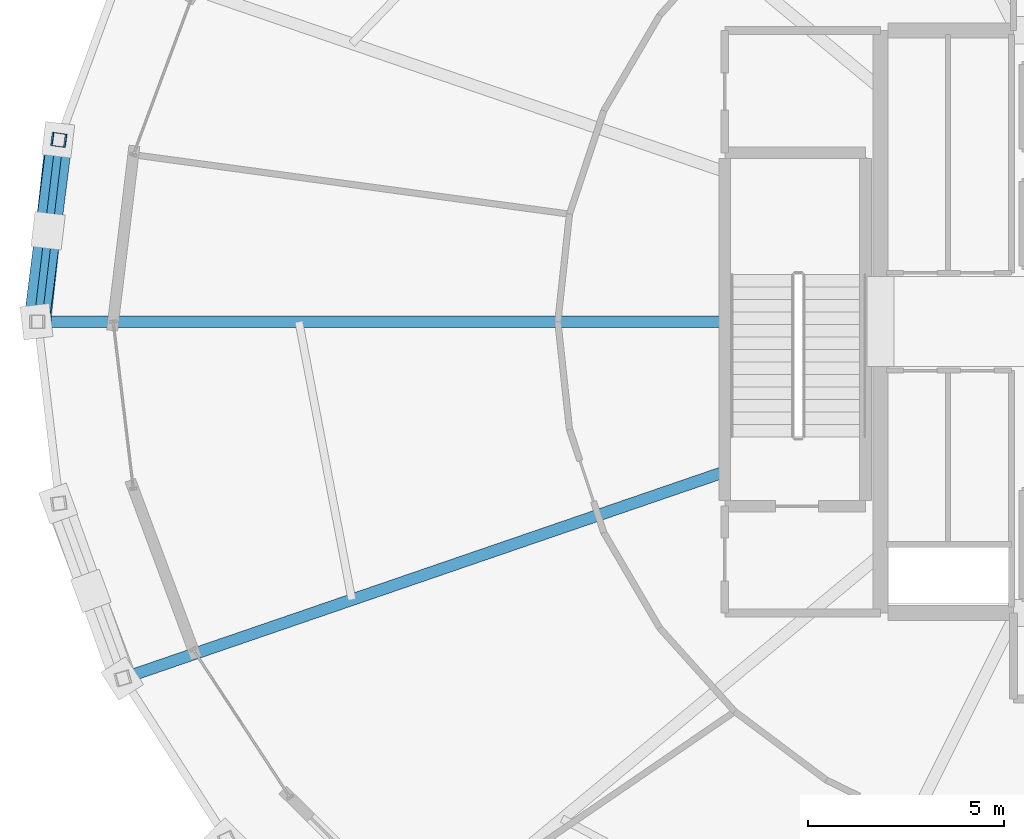
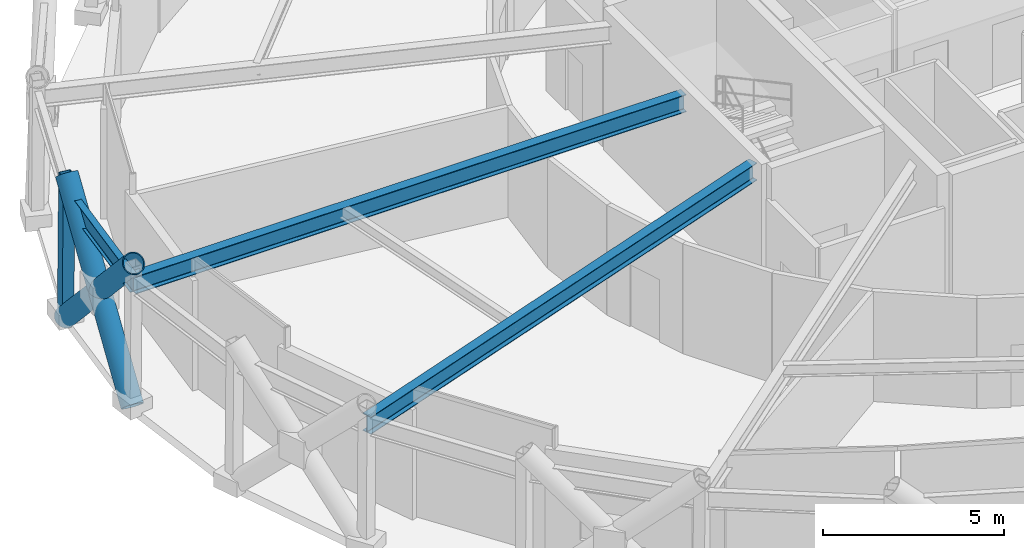
# One storey, part 8 of 39: 4 members, 3 beams.
"""IFC4 building model written with IfcOpenShell, lengths in metres."""

from ifc_helpers import new_model, si_unit, direction, frame, origin, origin_2d, place, context, subcontext, project, spatial, hollow_rectangle, hollow_circle, i_section, extrude, material, material_profile, profile_set, type_object, element, save


model = new_model("IFC4")

# Units and contexts
model_context = context("Model", 3, precision=1e-05, world=origin(), true_north=direction((0.0, 1.0)))
body_context = subcontext(model_context, "Body", "Model", "MODEL_VIEW")
ifc_project = project(units=[si_unit("LENGTHUNIT", "METRE"), si_unit("AREAUNIT", "SQUARE_METRE"), si_unit("VOLUMEUNIT", "CUBIC_METRE"), si_unit("PLANEANGLEUNIT", "RADIAN"), si_unit("MASSUNIT", "GRAM", prefix="KILO")], contexts=[model_context])

# Site, building, storey
site_placement = place(None, origin())
site = spatial("IfcSite", under=ifc_project, at=site_placement, CompositionType="ELEMENT")
building_placement = place(site_placement, origin())
building = spatial("IfcBuilding", under=site, at=building_placement, Name="Veldorina Hangang Commons", CompositionType="ELEMENT")
storey_placement = place(building_placement, frame((0.0, 0.0, 106.0)))
storey = spatial("IfcBuildingStorey", under=building, at=storey_placement, Name="L27", CompositionType="ELEMENT", Elevation=106.0)

# Beams
ifc_material_1 = material(Name="Steel SM460-TMC", Category="steel")
ifc_material_profile_1 = material_profile(ifc_material_1, i_section(OverallWidth=0.300048828125, OverallDepth=0.587890625, WebThickness=0.011962890625, FlangeThickness=0.02001953125, FilletRadius=0.01806640625, at=origin_2d()), Name="H-588x300x12x20")
ifc_profile_set_1 = profile_set([ifc_material_profile_1], Name="Steel SM460-TMC")
beam_type_1 = type_object("IfcBeamType", Name="BM-FG588", PredefinedType="BEAM", material=ifc_profile_set_1)
beam_1_placement = place(storey_placement, frame((20.820068359375, 24.0, 4.14599609375), z_axis=(-1.0, 0.0, 0.0), x_axis=(0.0, -1.0, 0.0)))
element("IfcBeam", 1, at=beam_1_placement, inside=storey, type_object=beam_type_1, Name="L27 radial floor girder 09", PredefinedType="BEAM", context=body_context, shape_type="SweptSolid", body=[
    extrude(i_section(OverallWidth=0.300048828125, OverallDepth=0.587890625, WebThickness=0.011962890625, FlangeThickness=0.02001953125, FilletRadius=0.01806640625, at=origin_2d()), origin(), (0.0, 0.0, 1.0), 17.570556640625),
])
beam_2_placement = place(storey_placement, frame((20.820068359375, 20.162353515625, 4.14599609375), z_axis=(-0.945834039523, -0.324650534699, 0.0), x_axis=(0.324650534699, -0.945834039523, 0.0)))
element("IfcBeam", 2, at=beam_2_placement, inside=storey, type_object=beam_type_1, Name="L27 radial floor girder 10", PredefinedType="BEAM", context=body_context, shape_type="SweptSolid", body=[
    extrude(i_section(OverallWidth=0.300048828125, OverallDepth=0.587890625, WebThickness=0.011962890625, FlangeThickness=0.02001953125, FilletRadius=0.01806640625, at=origin_2d()), origin(), (0.0, 0.0, 1.0), 16.262939453125),
])
ifc_material_2 = material(Name="Steel SM420-TMC", Category="steel")
ifc_material_profile_2 = material_profile(ifc_material_2, i_section(OverallWidth=0.199951171875, OverallDepth=0.60009765625, WebThickness=0.010986328125, FlangeThickness=0.01708984375, FilletRadius=0.01806640625, at=origin_2d()), Name="H-600x200x11x17")
ifc_profile_set_2 = profile_set([ifc_material_profile_2], Name="Steel SM420-TMC")
beam_type_2 = type_object("IfcBeamType", Name="BM-RB600", PredefinedType="BEAM", material=ifc_profile_set_2)
beam_3_placement = place(storey_placement, frame((3.802001953125, 28.648193359375, 4.139892578125), z_axis=(-0.118030441643, -0.993009977214, 0.0), x_axis=(0.993009977214, -0.118030441643, 0.0)))
element("IfcBeam", 3, at=beam_3_placement, inside=storey, type_object=beam_type_2, Name="L27 perimeter hoop ring beam 15", PredefinedType="BEAM", context=body_context, shape_type="SweptSolid", body=[
    extrude(i_section(OverallWidth=0.199951171875, OverallDepth=0.60009765625, WebThickness=0.010986328125, FlangeThickness=0.01708984375, FilletRadius=0.01806640625, at=origin_2d()), origin(), (0.0, 0.0, 1.0), 4.680908203125),
])

# Members
ifc_material_profile_3 = material_profile(ifc_material_1, hollow_circle(Radius=0.324951171875, WallThickness=0.031982421875, at=origin_2d()), Name="CHS-650x32")
ifc_profile_set_3 = profile_set([ifc_material_profile_3], Name="Steel SM460-TMC")
member_type_1 = type_object("IfcMemberType", Name="DG-CHS650", PredefinedType="BRACE", material=ifc_profile_set_3)
member_1_placement = place(storey_placement, frame((3.770263671875, 28.652587890625, 0.0), z_axis=(-0.07686888584, -0.693931955212, 0.71592570559), x_axis=(0.993920569442, -0.110099507902, 0.0)))
element("IfcMember", 4, at=member_1_placement, inside=storey, type_object=member_type_1, Name="L27 continuous perimeter diagrid brace 15", PredefinedType="BRACE", context=body_context, shape_type="SweptSolid", body=[
    extrude(hollow_circle(Radius=0.324951171875, WallThickness=0.031982421875, at=origin_2d()), origin(), (0.0, 0.0, 1.0), 6.70458984375),
])
member_2_placement = place(storey_placement, frame((3.217041015625, 24.0, 0.0), z_axis=(0.088038186296, 0.692882353797, 0.715655868103), x_axis=(-0.992024221047, 0.126047391312, 0.0)))
element("IfcMember", 5, at=member_2_placement, inside=storey, type_object=member_type_1, Name="L27 split perimeter diagrid lower brace 16", PredefinedType="BRACE", context=body_context, shape_type="SweptSolid", body=[
    extrude(hollow_circle(Radius=0.324951171875, WallThickness=0.031982421875, at=origin_2d()), origin(), (0.0, 0.0, 1.0), 3.35546875),
])
member_3_placement = place(storey_placement, frame((3.512451171875, 26.324951171875, 2.4013671875), z_axis=(0.087916276136, 0.692914279109, 0.715639944523), x_axis=(-0.992046756088, 0.125869907978, 0.0)))
element("IfcMember", 6, at=member_3_placement, inside=storey, type_object=member_type_1, Name="L27 split perimeter diagrid upper brace 16", PredefinedType="BRACE", context=body_context, shape_type="SweptSolid", body=[
    extrude(hollow_circle(Radius=0.324951171875, WallThickness=0.031982421875, at=origin_2d()), origin(), (0.0, 0.0, 1.0), 3.351806640625),
])
ifc_material_3 = material(Name="Steel SM355-TMC", Category="steel")
ifc_material_profile_4 = material_profile(ifc_material_3, hollow_rectangle(XDim=0.35009765625, YDim=0.35009765625, WallThickness=0.01611328125, at=origin_2d()), Name="SHS-350x350x16")
ifc_profile_set_4 = profile_set([ifc_material_profile_4], Name="Steel SM355-TMC")
member_type_2 = type_object("IfcMemberType", Name="STR-SHS350", PredefinedType="STRUT", material=ifc_profile_set_4)
member_4_placement = place(storey_placement, frame((3.770263671875, 28.652587890625, 0.0), z_axis=(0.007679948156, -0.00106807226, 0.999969938357), x_axis=(0.137747125984, 0.990467429693, 0.0)))
element("IfcMember", 7, at=member_4_placement, inside=storey, type_object=member_type_2, Name="L27 perimeter ring node post 15", PredefinedType="STRUT", context=body_context, shape_type="SweptSolid", body=[
    extrude(hollow_rectangle(XDim=0.35009765625, YDim=0.35009765625, WallThickness=0.01611328125, at=origin_2d()), origin(), (0.0, 0.0, 1.0), 4.80029296875),
])

save(model, "model.ifc")
